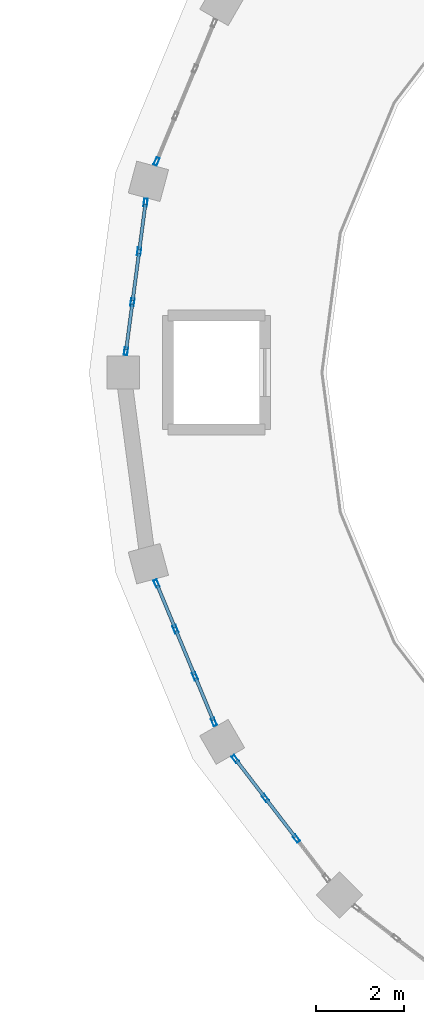
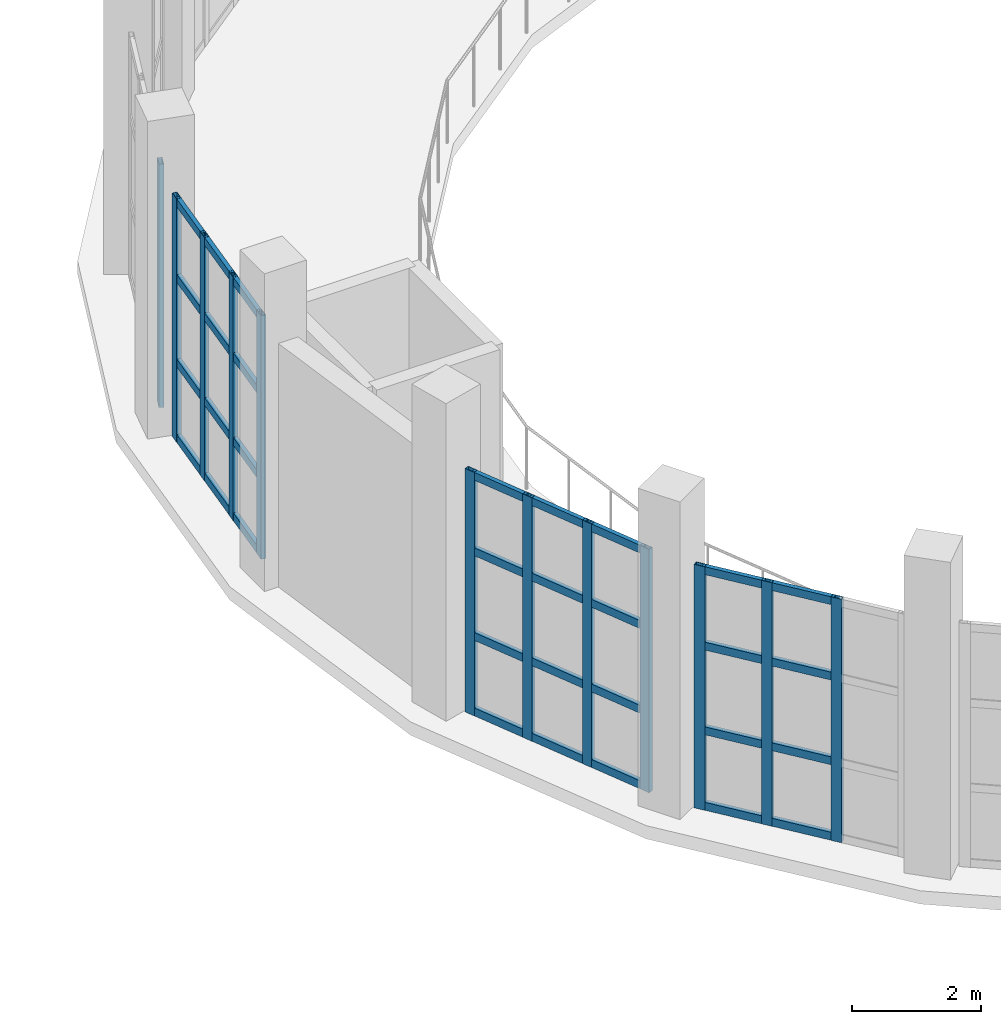
# One storey, part 27 of 59: 44 members, 4 elements without a shape of their own.
"""IFC4 building model written with IfcOpenShell, lengths in metres."""

from ifc_helpers import new_model, si_unit, direction, frame, origin, origin_2d, place, context, subcontext, project, spatial, hollow_rectangle, extrude, material, layer, layer_set, material_profile, profile_set, type_object, element, aggregate, save


model = new_model("IFC4")

# Units and contexts
model_context = context("Model", 3, precision=1e-05, world=origin(), true_north=direction((0.0, 1.0)))
body_context = subcontext(model_context, "Body", "Model", "MODEL_VIEW")
ifc_project = project(units=[si_unit("LENGTHUNIT", "METRE"), si_unit("AREAUNIT", "SQUARE_METRE"), si_unit("VOLUMEUNIT", "CUBIC_METRE"), si_unit("PLANEANGLEUNIT", "RADIAN"), si_unit("MASSUNIT", "GRAM", prefix="KILO")], contexts=[model_context])

# Site, building, storey
site_placement = place(None, origin())
site = spatial("IfcSite", under=ifc_project, at=site_placement, CompositionType="ELEMENT")
building_placement = place(site_placement, origin())
building = spatial("IfcBuilding", under=site, at=building_placement, Name="Kandorven Conservatory and Botanical Research Centre", CompositionType="ELEMENT")
storey_placement = place(building_placement, frame((0.0, 0.0, 4.800048828125)))
storey = spatial("IfcBuildingStorey", under=building, at=storey_placement, Name="L01", CompositionType="ELEMENT", Elevation=4.800048828125)

# Curtain wall, member
ifc_material_1 = material(Name="Bronze anodised thermally broken aluminium", Category="aluminium")
ifc_layer = layer(ifc_material_1, 0.179931640625)
ifc_layer_set = layer_set([ifc_layer], Name="Bronze anodised thermally broken aluminium")
curtain_wall_type = type_object("IfcCurtainWallType", Name="CW_Clerestory", PredefinedType="USERDEFINED", material=ifc_layer_set)
curtain_wall_1_placement = place(storey_placement, origin())
curtain_wall_1 = element("IfcCurtainWall", 1, at=curtain_wall_1_placement, inside=storey, type_object=curtain_wall_type, Name="Conservatory drum clerestory glazing CW-DRUM-L01-11", ObjectType="CLERESTORY GLAZING", PredefinedType="USERDEFINED")
ifc_material_2 = material(Name="Bronze anodised thermally broken aluminium", Category="aluminium")
ifc_material_profile_1 = material_profile(ifc_material_2, hollow_rectangle(XDim=0.080078125, YDim=0.179931640625, WallThickness=0.006103515625, at=origin_2d()))
ifc_profile_set_1 = profile_set([ifc_material_profile_1], Name="Bronze anodised thermally broken aluminium")
member_type_1 = type_object("IfcMemberType", Name="CW_Mullion", PredefinedType="MULLION", material=ifc_profile_set_1)
member_1_placement = place(storey_placement, frame((71.535888671875, 52.607177734375, 0.0), z_axis=(0.0, 0.0, 1.0), x_axis=(0.92388561262, -0.382668753353, 0.0)))
member_1 = element("IfcMember", 2, at=member_1_placement, type_object=member_type_1, Name="CW-02 mullion 4", PredefinedType="MULLION", context=body_context, shape_type="SweptSolid", body=[
    extrude(hollow_rectangle(XDim=0.080078125, YDim=0.179931640625, WallThickness=0.006103515625, at=origin_2d()), origin(), (0.0, 0.0, 1.0), 4.599853515625),
])
aggregate(curtain_wall_1, [member_1])

# Curtain wall, members
curtain_wall_2_placement = place(storey_placement, origin())
curtain_wall_2 = element("IfcCurtainWall", 3, at=curtain_wall_2_placement, inside=storey, type_object=curtain_wall_type, Name="Conservatory drum clerestory glazing CW-DRUM-L01-12", ObjectType="CLERESTORY GLAZING", PredefinedType="USERDEFINED")
member_2_placement = place(storey_placement, frame((71.284423828125, 51.668701171875, 0.0), z_axis=(0.0, 0.0, 1.0), x_axis=(0.991441424913, -0.130552292075, 0.0)))
member_2 = element("IfcMember", 4, at=member_2_placement, type_object=member_type_1, Name="CW-02 mullion 1", PredefinedType="MULLION", context=body_context, shape_type="SweptSolid", body=[
    extrude(hollow_rectangle(XDim=0.080078125, YDim=0.179931640625, WallThickness=0.006103515625, at=origin_2d()), origin(), (0.0, 0.0, 1.0), 4.599853515625),
])
member_3_placement = place(storey_placement, frame((71.1376953125, 50.554443359375, 0.0), z_axis=(0.0, 0.0, 1.0), x_axis=(0.991441424913, -0.130552292075, 0.0)))
member_3 = element("IfcMember", 5, at=member_3_placement, type_object=member_type_1, Name="CW-02 mullion 2", PredefinedType="MULLION", context=body_context, shape_type="SweptSolid", body=[
    extrude(hollow_rectangle(XDim=0.080078125, YDim=0.179931640625, WallThickness=0.006103515625, at=origin_2d()), origin(), (0.0, 0.0, 1.0), 4.599853515625),
])
member_4_placement = place(storey_placement, frame((70.985595703125, 49.400146484375, 0.0), z_axis=(0.0, 0.0, 1.0), x_axis=(0.991441424913, -0.130552292075, 0.0)))
member_4 = element("IfcMember", 6, at=member_4_placement, type_object=member_type_1, Name="CW-02 mullion 3", PredefinedType="MULLION", context=body_context, shape_type="SweptSolid", body=[
    extrude(hollow_rectangle(XDim=0.080078125, YDim=0.179931640625, WallThickness=0.006103515625, at=origin_2d()), origin(), (0.0, 0.0, 1.0), 4.599853515625),
])
member_5_placement = place(storey_placement, frame((70.8388671875, 48.285888671875, 0.0), z_axis=(0.0, 0.0, 1.0), x_axis=(0.991441424913, -0.130552292075, 0.0)))
member_5 = element("IfcMember", 7, at=member_5_placement, type_object=member_type_1, Name="CW-02 mullion 4", PredefinedType="MULLION", context=body_context, shape_type="SweptSolid", body=[
    extrude(hollow_rectangle(XDim=0.080078125, YDim=0.179931640625, WallThickness=0.006103515625, at=origin_2d()), origin(), (0.0, 0.0, 1.0), 4.599853515625),
])

curtain_wall_3_placement = place(storey_placement, origin())
curtain_wall_3 = element("IfcCurtainWall", 8, at=curtain_wall_3_placement, inside=storey, type_object=curtain_wall_type, Name="Conservatory drum clerestory glazing CW-DRUM-L01-14", ObjectType="CLERESTORY GLAZING", PredefinedType="USERDEFINED")
member_6_placement = place(storey_placement, frame((71.535888671875, 42.99267578125, 0.0), z_axis=(0.0, 0.0, 1.0), x_axis=(0.92388561262, 0.382668753353, 0.0)))
member_6 = element("IfcMember", 9, at=member_6_placement, type_object=member_type_1, Name="CW-02 mullion 1", PredefinedType="MULLION", context=body_context, shape_type="SweptSolid", body=[
    extrude(hollow_rectangle(XDim=0.080078125, YDim=0.179931640625, WallThickness=0.006103515625, at=origin_2d()), origin(), (0.0, 0.0, 1.0), 4.599853515625),
])
member_7_placement = place(storey_placement, frame((71.966064453125, 41.9541015625, 0.0), z_axis=(0.0, 0.0, 1.0), x_axis=(0.92388561262, 0.382668753353, 0.0)))
member_7 = element("IfcMember", 10, at=member_7_placement, type_object=member_type_1, Name="CW-02 mullion 2", PredefinedType="MULLION", context=body_context, shape_type="SweptSolid", body=[
    extrude(hollow_rectangle(XDim=0.080078125, YDim=0.179931640625, WallThickness=0.006103515625, at=origin_2d()), origin(), (0.0, 0.0, 1.0), 4.599853515625),
])
member_8_placement = place(storey_placement, frame((72.411376953125, 40.878662109375, 0.0), z_axis=(0.0, 0.0, 1.0), x_axis=(0.92388561262, 0.382668753353, 0.0)))
member_8 = element("IfcMember", 11, at=member_8_placement, type_object=member_type_1, Name="CW-02 mullion 3", PredefinedType="MULLION", context=body_context, shape_type="SweptSolid", body=[
    extrude(hollow_rectangle(XDim=0.080078125, YDim=0.179931640625, WallThickness=0.006103515625, at=origin_2d()), origin(), (0.0, 0.0, 1.0), 4.599853515625),
])
member_9_placement = place(storey_placement, frame((72.841552734375, 39.840087890625, 0.0), z_axis=(0.0, 0.0, 1.0), x_axis=(0.92388561262, 0.382668753353, 0.0)))
member_9 = element("IfcMember", 12, at=member_9_placement, type_object=member_type_1, Name="CW-02 mullion 4", PredefinedType="MULLION", context=body_context, shape_type="SweptSolid", body=[
    extrude(hollow_rectangle(XDim=0.080078125, YDim=0.179931640625, WallThickness=0.006103515625, at=origin_2d()), origin(), (0.0, 0.0, 1.0), 4.599853515625),
])

curtain_wall_4_placement = place(storey_placement, origin())
curtain_wall_4 = element("IfcCurtainWall", 13, at=curtain_wall_4_placement, inside=storey, type_object=curtain_wall_type, Name="Conservatory drum clerestory glazing CW-DRUM-L01-15", ObjectType="CLERESTORY GLAZING", PredefinedType="USERDEFINED")
member_10_placement = place(storey_placement, frame((73.327392578125, 38.998779296875, 0.0), z_axis=(0.0, 0.0, 1.0), x_axis=(0.793347276456, 0.608769331471, 0.0)))
member_10 = element("IfcMember", 14, at=member_10_placement, type_object=member_type_1, Name="CW-02 mullion 1", PredefinedType="MULLION", context=body_context, shape_type="SweptSolid", body=[
    extrude(hollow_rectangle(XDim=0.080078125, YDim=0.179931640625, WallThickness=0.006103515625, at=origin_2d()), origin(), (0.0, 0.0, 1.0), 4.599853515625),
])
member_11_placement = place(storey_placement, frame((74.01171875, 38.10693359375, 0.0), z_axis=(0.0, 0.0, 1.0), x_axis=(0.793347276456, 0.608769331471, 0.0)))
member_11 = element("IfcMember", 15, at=member_11_placement, type_object=member_type_1, Name="CW-02 mullion 2", PredefinedType="MULLION", context=body_context, shape_type="SweptSolid", body=[
    extrude(hollow_rectangle(XDim=0.080078125, YDim=0.179931640625, WallThickness=0.006103515625, at=origin_2d()), origin(), (0.0, 0.0, 1.0), 4.599853515625),
])
member_12_placement = place(storey_placement, frame((74.72021484375, 37.183349609375, 0.0), z_axis=(0.0, 0.0, 1.0), x_axis=(0.793347276456, 0.608769331471, 0.0)))
member_12 = element("IfcMember", 16, at=member_12_placement, type_object=member_type_1, Name="CW-02 mullion 3", PredefinedType="MULLION", context=body_context, shape_type="SweptSolid", body=[
    extrude(hollow_rectangle(XDim=0.080078125, YDim=0.179931640625, WallThickness=0.006103515625, at=origin_2d()), origin(), (0.0, 0.0, 1.0), 4.599853515625),
])

# Member
ifc_material_3 = material(Name="Bronze anodised thermally broken aluminium", Category="aluminium")
ifc_material_profile_2 = material_profile(ifc_material_3, hollow_rectangle(XDim=0.074951171875, YDim=0.14990234375, WallThickness=0.006103515625, at=origin_2d()))
ifc_profile_set_2 = profile_set([ifc_material_profile_2], Name="Bronze anodised thermally broken aluminium")
member_type_2 = type_object("IfcMemberType", Name="CW_Transom", PredefinedType="USERDEFINED", material=ifc_profile_set_2)
member_13_placement = place(storey_placement, frame((71.279052734375, 51.629150390625, 0.074951171875), z_axis=(-0.130478707622, -0.991451111683, 0.0), x_axis=(0.991451111683, -0.130478707622, 0.0)))
member_13 = element("IfcMember", 17, at=member_13_placement, type_object=member_type_2, Name="CW-02 transom 1.1", ObjectType="TRANSOM", PredefinedType="USERDEFINED", context=body_context, shape_type="SweptSolid", body=[
    extrude(hollow_rectangle(XDim=0.074951171875, YDim=0.14990234375, WallThickness=0.006103515625, at=origin_2d()), origin(), (0.0, 0.0, 1.0), 1.044189453125),
])

member_14_placement = place(storey_placement, frame((71.279052734375, 51.629150390625, 1.5), z_axis=(-0.130478707622, -0.991451111683, 0.0), x_axis=(0.991451111683, -0.130478707622, 0.0)))
member_14 = element("IfcMember", 18, at=member_14_placement, type_object=member_type_2, Name="CW-02 transom 1.2", ObjectType="TRANSOM", PredefinedType="USERDEFINED", context=body_context, shape_type="SweptSolid", body=[
    extrude(hollow_rectangle(XDim=0.074951171875, YDim=0.14990234375, WallThickness=0.006103515625, at=origin_2d()), origin(), (0.0, 0.0, 1.0), 1.044189453125),
])

member_15_placement = place(storey_placement, frame((71.279052734375, 51.629150390625, 3.099853515625), z_axis=(-0.130478707622, -0.991451111683, 0.0), x_axis=(0.991451111683, -0.130478707622, 0.0)))
member_15 = element("IfcMember", 19, at=member_15_placement, type_object=member_type_2, Name="CW-02 transom 1.3", ObjectType="TRANSOM", PredefinedType="USERDEFINED", context=body_context, shape_type="SweptSolid", body=[
    extrude(hollow_rectangle(XDim=0.074951171875, YDim=0.14990234375, WallThickness=0.006103515625, at=origin_2d()), origin(), (0.0, 0.0, 1.0), 1.044189453125),
])

member_16_placement = place(storey_placement, frame((71.279052734375, 51.629150390625, 4.52490234375), z_axis=(-0.130478707622, -0.991451111683, 0.0), x_axis=(0.991451111683, -0.130478707622, 0.0)))
member_16 = element("IfcMember", 20, at=member_16_placement, type_object=member_type_2, Name="CW-02 transom 1.4", ObjectType="TRANSOM", PredefinedType="USERDEFINED", context=body_context, shape_type="SweptSolid", body=[
    extrude(hollow_rectangle(XDim=0.074951171875, YDim=0.14990234375, WallThickness=0.006103515625, at=origin_2d()), origin(), (0.0, 0.0, 1.0), 1.044189453125),
])

member_17_placement = place(storey_placement, frame((71.13232421875, 50.5146484375, 0.074951171875), z_axis=(-0.130407902639, -0.991460427314, 0.0), x_axis=(0.991460427314, -0.130407902639, 0.0)))
member_17 = element("IfcMember", 21, at=member_17_placement, type_object=member_type_2, Name="CW-02 transom 2.1", ObjectType="TRANSOM", PredefinedType="USERDEFINED", context=body_context, shape_type="SweptSolid", body=[
    extrude(hollow_rectangle(XDim=0.074951171875, YDim=0.14990234375, WallThickness=0.006103515625, at=origin_2d()), origin(), (0.0, 0.0, 1.0), 1.083984375),
])

member_18_placement = place(storey_placement, frame((71.13232421875, 50.5146484375, 1.5), z_axis=(-0.130407902639, -0.991460427314, 0.0), x_axis=(0.991460427314, -0.130407902639, 0.0)))
member_18 = element("IfcMember", 22, at=member_18_placement, type_object=member_type_2, Name="CW-02 transom 2.2", ObjectType="TRANSOM", PredefinedType="USERDEFINED", context=body_context, shape_type="SweptSolid", body=[
    extrude(hollow_rectangle(XDim=0.074951171875, YDim=0.14990234375, WallThickness=0.006103515625, at=origin_2d()), origin(), (0.0, 0.0, 1.0), 1.083984375),
])

member_19_placement = place(storey_placement, frame((71.13232421875, 50.5146484375, 3.099853515625), z_axis=(-0.130407902639, -0.991460427314, 0.0), x_axis=(0.991460427314, -0.130407902639, 0.0)))
member_19 = element("IfcMember", 23, at=member_19_placement, type_object=member_type_2, Name="CW-02 transom 2.3", ObjectType="TRANSOM", PredefinedType="USERDEFINED", context=body_context, shape_type="SweptSolid", body=[
    extrude(hollow_rectangle(XDim=0.074951171875, YDim=0.14990234375, WallThickness=0.006103515625, at=origin_2d()), origin(), (0.0, 0.0, 1.0), 1.083984375),
])

member_20_placement = place(storey_placement, frame((71.13232421875, 50.5146484375, 4.52490234375), z_axis=(-0.130407902639, -0.991460427314, 0.0), x_axis=(0.991460427314, -0.130407902639, 0.0)))
member_20 = element("IfcMember", 24, at=member_20_placement, type_object=member_type_2, Name="CW-02 transom 2.4", ObjectType="TRANSOM", PredefinedType="USERDEFINED", context=body_context, shape_type="SweptSolid", body=[
    extrude(hollow_rectangle(XDim=0.074951171875, YDim=0.14990234375, WallThickness=0.006103515625, at=origin_2d()), origin(), (0.0, 0.0, 1.0), 1.083984375),
])

member_21_placement = place(storey_placement, frame((70.98046875, 49.360595703125, 0.074951171875), z_axis=(-0.130478707622, -0.991451111683, 0.0), x_axis=(0.991451111683, -0.130478707622, 0.0)))
member_21 = element("IfcMember", 25, at=member_21_placement, type_object=member_type_2, Name="CW-02 transom 3.1", ObjectType="TRANSOM", PredefinedType="USERDEFINED", context=body_context, shape_type="SweptSolid", body=[
    extrude(hollow_rectangle(XDim=0.074951171875, YDim=0.14990234375, WallThickness=0.006103515625, at=origin_2d()), origin(), (0.0, 0.0, 1.0), 1.044189453125),
])

member_22_placement = place(storey_placement, frame((70.98046875, 49.360595703125, 1.5), z_axis=(-0.130478707622, -0.991451111683, 0.0), x_axis=(0.991451111683, -0.130478707622, 0.0)))
member_22 = element("IfcMember", 26, at=member_22_placement, type_object=member_type_2, Name="CW-02 transom 3.2", ObjectType="TRANSOM", PredefinedType="USERDEFINED", context=body_context, shape_type="SweptSolid", body=[
    extrude(hollow_rectangle(XDim=0.074951171875, YDim=0.14990234375, WallThickness=0.006103515625, at=origin_2d()), origin(), (0.0, 0.0, 1.0), 1.044189453125),
])

member_23_placement = place(storey_placement, frame((70.98046875, 49.360595703125, 3.099853515625), z_axis=(-0.130478707622, -0.991451111683, 0.0), x_axis=(0.991451111683, -0.130478707622, 0.0)))
member_23 = element("IfcMember", 27, at=member_23_placement, type_object=member_type_2, Name="CW-02 transom 3.3", ObjectType="TRANSOM", PredefinedType="USERDEFINED", context=body_context, shape_type="SweptSolid", body=[
    extrude(hollow_rectangle(XDim=0.074951171875, YDim=0.14990234375, WallThickness=0.006103515625, at=origin_2d()), origin(), (0.0, 0.0, 1.0), 1.044189453125),
])

member_24_placement = place(storey_placement, frame((70.98046875, 49.360595703125, 4.52490234375), z_axis=(-0.130478707622, -0.991451111683, 0.0), x_axis=(0.991451111683, -0.130478707622, 0.0)))
member_24 = element("IfcMember", 28, at=member_24_placement, type_object=member_type_2, Name="CW-02 transom 3.4", ObjectType="TRANSOM", PredefinedType="USERDEFINED", context=body_context, shape_type="SweptSolid", body=[
    extrude(hollow_rectangle(XDim=0.074951171875, YDim=0.14990234375, WallThickness=0.006103515625, at=origin_2d()), origin(), (0.0, 0.0, 1.0), 1.044189453125),
])

aggregate(curtain_wall_2, [member_2, member_3, member_4, member_5, member_13, member_14, member_15, member_16, member_17, member_18, member_19, member_20, member_21, member_22, member_23, member_24])

member_25_placement = place(storey_placement, frame((71.551025390625, 42.955810546875, 0.074951171875), z_axis=(0.382771688877, -0.923842970528, 0.0), x_axis=(0.923842970528, 0.382771688877, 0.0)))
member_25 = element("IfcMember", 29, at=member_25_placement, type_object=member_type_2, Name="CW-02 transom 1.1", ObjectType="TRANSOM", PredefinedType="USERDEFINED", context=body_context, shape_type="SweptSolid", body=[
    extrude(hollow_rectangle(XDim=0.074951171875, YDim=0.14990234375, WallThickness=0.006103515625, at=origin_2d()), origin(), (0.0, 0.0, 1.0), 1.044189453125),
])

member_26_placement = place(storey_placement, frame((71.551025390625, 42.955810546875, 1.5), z_axis=(0.382771688877, -0.923842970528, 0.0), x_axis=(0.923842970528, 0.382771688877, 0.0)))
member_26 = element("IfcMember", 30, at=member_26_placement, type_object=member_type_2, Name="CW-02 transom 1.2", ObjectType="TRANSOM", PredefinedType="USERDEFINED", context=body_context, shape_type="SweptSolid", body=[
    extrude(hollow_rectangle(XDim=0.074951171875, YDim=0.14990234375, WallThickness=0.006103515625, at=origin_2d()), origin(), (0.0, 0.0, 1.0), 1.044189453125),
])

member_27_placement = place(storey_placement, frame((71.551025390625, 42.955810546875, 3.099853515625), z_axis=(0.382771688877, -0.923842970528, 0.0), x_axis=(0.923842970528, 0.382771688877, 0.0)))
member_27 = element("IfcMember", 31, at=member_27_placement, type_object=member_type_2, Name="CW-02 transom 1.3", ObjectType="TRANSOM", PredefinedType="USERDEFINED", context=body_context, shape_type="SweptSolid", body=[
    extrude(hollow_rectangle(XDim=0.074951171875, YDim=0.14990234375, WallThickness=0.006103515625, at=origin_2d()), origin(), (0.0, 0.0, 1.0), 1.044189453125),
])

member_28_placement = place(storey_placement, frame((71.551025390625, 42.955810546875, 4.52490234375), z_axis=(0.382771688877, -0.923842970528, 0.0), x_axis=(0.923842970528, 0.382771688877, 0.0)))
member_28 = element("IfcMember", 32, at=member_28_placement, type_object=member_type_2, Name="CW-02 transom 1.4", ObjectType="TRANSOM", PredefinedType="USERDEFINED", context=body_context, shape_type="SweptSolid", body=[
    extrude(hollow_rectangle(XDim=0.074951171875, YDim=0.14990234375, WallThickness=0.006103515625, at=origin_2d()), origin(), (0.0, 0.0, 1.0), 1.044189453125),
])

member_29_placement = place(storey_placement, frame((71.981201171875, 41.917236328125, 0.074951171875), z_axis=(0.382855655763, -0.923808176436, 0.0), x_axis=(0.923808176436, 0.382855655763, 0.0)))
member_29 = element("IfcMember", 33, at=member_29_placement, type_object=member_type_2, Name="CW-02 transom 2.1", ObjectType="TRANSOM", PredefinedType="USERDEFINED", context=body_context, shape_type="SweptSolid", body=[
    extrude(hollow_rectangle(XDim=0.074951171875, YDim=0.14990234375, WallThickness=0.006103515625, at=origin_2d()), origin(), (0.0, 0.0, 1.0), 1.083984375),
])

member_30_placement = place(storey_placement, frame((71.981201171875, 41.917236328125, 1.5), z_axis=(0.382855655763, -0.923808176436, 0.0), x_axis=(0.923808176436, 0.382855655763, 0.0)))
member_30 = element("IfcMember", 34, at=member_30_placement, type_object=member_type_2, Name="CW-02 transom 2.2", ObjectType="TRANSOM", PredefinedType="USERDEFINED", context=body_context, shape_type="SweptSolid", body=[
    extrude(hollow_rectangle(XDim=0.074951171875, YDim=0.14990234375, WallThickness=0.006103515625, at=origin_2d()), origin(), (0.0, 0.0, 1.0), 1.083984375),
])

member_31_placement = place(storey_placement, frame((71.981201171875, 41.917236328125, 3.099853515625), z_axis=(0.382855655763, -0.923808176436, 0.0), x_axis=(0.923808176436, 0.382855655763, 0.0)))
member_31 = element("IfcMember", 35, at=member_31_placement, type_object=member_type_2, Name="CW-02 transom 2.3", ObjectType="TRANSOM", PredefinedType="USERDEFINED", context=body_context, shape_type="SweptSolid", body=[
    extrude(hollow_rectangle(XDim=0.074951171875, YDim=0.14990234375, WallThickness=0.006103515625, at=origin_2d()), origin(), (0.0, 0.0, 1.0), 1.083984375),
])

member_32_placement = place(storey_placement, frame((71.981201171875, 41.917236328125, 4.52490234375), z_axis=(0.382855655763, -0.923808176436, 0.0), x_axis=(0.923808176436, 0.382855655763, 0.0)))
member_32 = element("IfcMember", 36, at=member_32_placement, type_object=member_type_2, Name="CW-02 transom 2.4", ObjectType="TRANSOM", PredefinedType="USERDEFINED", context=body_context, shape_type="SweptSolid", body=[
    extrude(hollow_rectangle(XDim=0.074951171875, YDim=0.14990234375, WallThickness=0.006103515625, at=origin_2d()), origin(), (0.0, 0.0, 1.0), 1.083984375),
])

member_33_placement = place(storey_placement, frame((72.4267578125, 40.841796875, 0.074951171875), z_axis=(0.382572095676, -0.923925641819, 0.0), x_axis=(0.923925641819, 0.382572095676, 0.0)))
member_33 = element("IfcMember", 37, at=member_33_placement, type_object=member_type_2, Name="CW-02 transom 3.1", ObjectType="TRANSOM", PredefinedType="USERDEFINED", context=body_context, shape_type="SweptSolid", body=[
    extrude(hollow_rectangle(XDim=0.074951171875, YDim=0.14990234375, WallThickness=0.006103515625, at=origin_2d()), origin(), (0.0, 0.0, 1.0), 1.0439453125),
])

member_34_placement = place(storey_placement, frame((72.4267578125, 40.841796875, 1.5), z_axis=(0.382572095676, -0.923925641819, 0.0), x_axis=(0.923925641819, 0.382572095676, 0.0)))
member_34 = element("IfcMember", 38, at=member_34_placement, type_object=member_type_2, Name="CW-02 transom 3.2", ObjectType="TRANSOM", PredefinedType="USERDEFINED", context=body_context, shape_type="SweptSolid", body=[
    extrude(hollow_rectangle(XDim=0.074951171875, YDim=0.14990234375, WallThickness=0.006103515625, at=origin_2d()), origin(), (0.0, 0.0, 1.0), 1.0439453125),
])

member_35_placement = place(storey_placement, frame((72.4267578125, 40.841796875, 3.099853515625), z_axis=(0.382572095676, -0.923925641819, 0.0), x_axis=(0.923925641819, 0.382572095676, 0.0)))
member_35 = element("IfcMember", 39, at=member_35_placement, type_object=member_type_2, Name="CW-02 transom 3.3", ObjectType="TRANSOM", PredefinedType="USERDEFINED", context=body_context, shape_type="SweptSolid", body=[
    extrude(hollow_rectangle(XDim=0.074951171875, YDim=0.14990234375, WallThickness=0.006103515625, at=origin_2d()), origin(), (0.0, 0.0, 1.0), 1.0439453125),
])

member_36_placement = place(storey_placement, frame((72.4267578125, 40.841796875, 4.52490234375), z_axis=(0.382572095676, -0.923925641819, 0.0), x_axis=(0.923925641819, 0.382572095676, 0.0)))
member_36 = element("IfcMember", 40, at=member_36_placement, type_object=member_type_2, Name="CW-02 transom 3.4", ObjectType="TRANSOM", PredefinedType="USERDEFINED", context=body_context, shape_type="SweptSolid", body=[
    extrude(hollow_rectangle(XDim=0.074951171875, YDim=0.14990234375, WallThickness=0.006103515625, at=origin_2d()), origin(), (0.0, 0.0, 1.0), 1.0439453125),
])

aggregate(curtain_wall_3, [member_6, member_7, member_8, member_9, member_25, member_26, member_27, member_28, member_29, member_30, member_31, member_32, member_33, member_34, member_35, member_36])

member_37_placement = place(storey_placement, frame((73.351806640625, 38.967041015625, 0.074951171875), z_axis=(0.608681879412, -0.793414374508, 0.0), x_axis=(0.793414374508, 0.608681879412, 0.0)))
member_37 = element("IfcMember", 41, at=member_37_placement, type_object=member_type_2, Name="CW-02 transom 1.1", ObjectType="TRANSOM", PredefinedType="USERDEFINED", context=body_context, shape_type="SweptSolid", body=[
    extrude(hollow_rectangle(XDim=0.074951171875, YDim=0.14990234375, WallThickness=0.006103515625, at=origin_2d()), origin(), (0.0, 0.0, 1.0), 1.0439453125),
])

member_38_placement = place(storey_placement, frame((73.351806640625, 38.967041015625, 1.5), z_axis=(0.608681879412, -0.793414374508, 0.0), x_axis=(0.793414374508, 0.608681879412, 0.0)))
member_38 = element("IfcMember", 42, at=member_38_placement, type_object=member_type_2, Name="CW-02 transom 1.2", ObjectType="TRANSOM", PredefinedType="USERDEFINED", context=body_context, shape_type="SweptSolid", body=[
    extrude(hollow_rectangle(XDim=0.074951171875, YDim=0.14990234375, WallThickness=0.006103515625, at=origin_2d()), origin(), (0.0, 0.0, 1.0), 1.0439453125),
])

member_39_placement = place(storey_placement, frame((73.351806640625, 38.967041015625, 3.099853515625), z_axis=(0.608681879412, -0.793414374508, 0.0), x_axis=(0.793414374508, 0.608681879412, 0.0)))
member_39 = element("IfcMember", 43, at=member_39_placement, type_object=member_type_2, Name="CW-02 transom 1.3", ObjectType="TRANSOM", PredefinedType="USERDEFINED", context=body_context, shape_type="SweptSolid", body=[
    extrude(hollow_rectangle(XDim=0.074951171875, YDim=0.14990234375, WallThickness=0.006103515625, at=origin_2d()), origin(), (0.0, 0.0, 1.0), 1.0439453125),
])

member_40_placement = place(storey_placement, frame((73.351806640625, 38.967041015625, 4.52490234375), z_axis=(0.608681879412, -0.793414374508, 0.0), x_axis=(0.793414374508, 0.608681879412, 0.0)))
member_40 = element("IfcMember", 44, at=member_40_placement, type_object=member_type_2, Name="CW-02 transom 1.4", ObjectType="TRANSOM", PredefinedType="USERDEFINED", context=body_context, shape_type="SweptSolid", body=[
    extrude(hollow_rectangle(XDim=0.074951171875, YDim=0.14990234375, WallThickness=0.006103515625, at=origin_2d()), origin(), (0.0, 0.0, 1.0), 1.0439453125),
])

member_41_placement = place(storey_placement, frame((74.0361328125, 38.0751953125, 0.074951171875), z_axis=(0.608719900201, -0.793385204739, 0.0), x_axis=(0.793385204739, 0.608719900201, 0.0)))
member_41 = element("IfcMember", 45, at=member_41_placement, type_object=member_type_2, Name="CW-02 transom 2.1", ObjectType="TRANSOM", PredefinedType="USERDEFINED", context=body_context, shape_type="SweptSolid", body=[
    extrude(hollow_rectangle(XDim=0.074951171875, YDim=0.14990234375, WallThickness=0.006103515625, at=origin_2d()), origin(), (0.0, 0.0, 1.0), 1.083984375),
])

member_42_placement = place(storey_placement, frame((74.0361328125, 38.0751953125, 1.5), z_axis=(0.608719900201, -0.793385204739, 0.0), x_axis=(0.793385204739, 0.608719900201, 0.0)))
member_42 = element("IfcMember", 46, at=member_42_placement, type_object=member_type_2, Name="CW-02 transom 2.2", ObjectType="TRANSOM", PredefinedType="USERDEFINED", context=body_context, shape_type="SweptSolid", body=[
    extrude(hollow_rectangle(XDim=0.074951171875, YDim=0.14990234375, WallThickness=0.006103515625, at=origin_2d()), origin(), (0.0, 0.0, 1.0), 1.083984375),
])

member_43_placement = place(storey_placement, frame((74.0361328125, 38.0751953125, 3.099853515625), z_axis=(0.608719900201, -0.793385204739, 0.0), x_axis=(0.793385204739, 0.608719900201, 0.0)))
member_43 = element("IfcMember", 47, at=member_43_placement, type_object=member_type_2, Name="CW-02 transom 2.3", ObjectType="TRANSOM", PredefinedType="USERDEFINED", context=body_context, shape_type="SweptSolid", body=[
    extrude(hollow_rectangle(XDim=0.074951171875, YDim=0.14990234375, WallThickness=0.006103515625, at=origin_2d()), origin(), (0.0, 0.0, 1.0), 1.083984375),
])

member_44_placement = place(storey_placement, frame((74.0361328125, 38.0751953125, 4.52490234375), z_axis=(0.608719900201, -0.793385204739, 0.0), x_axis=(0.793385204739, 0.608719900201, 0.0)))
member_44 = element("IfcMember", 48, at=member_44_placement, type_object=member_type_2, Name="CW-02 transom 2.4", ObjectType="TRANSOM", PredefinedType="USERDEFINED", context=body_context, shape_type="SweptSolid", body=[
    extrude(hollow_rectangle(XDim=0.074951171875, YDim=0.14990234375, WallThickness=0.006103515625, at=origin_2d()), origin(), (0.0, 0.0, 1.0), 1.083984375),
])

aggregate(curtain_wall_4, [member_10, member_11, member_12, member_37, member_38, member_39, member_40, member_41, member_42, member_43, member_44])

save(model, "model.ifc")
